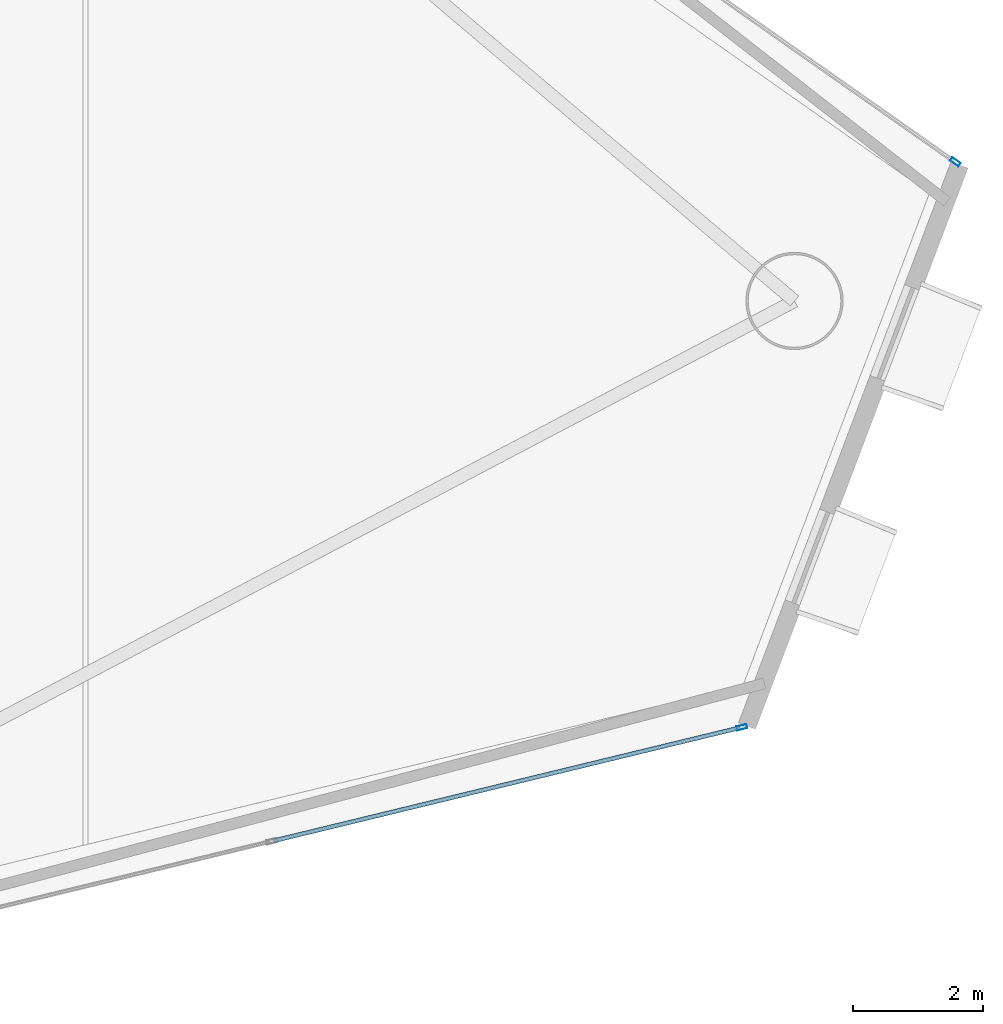
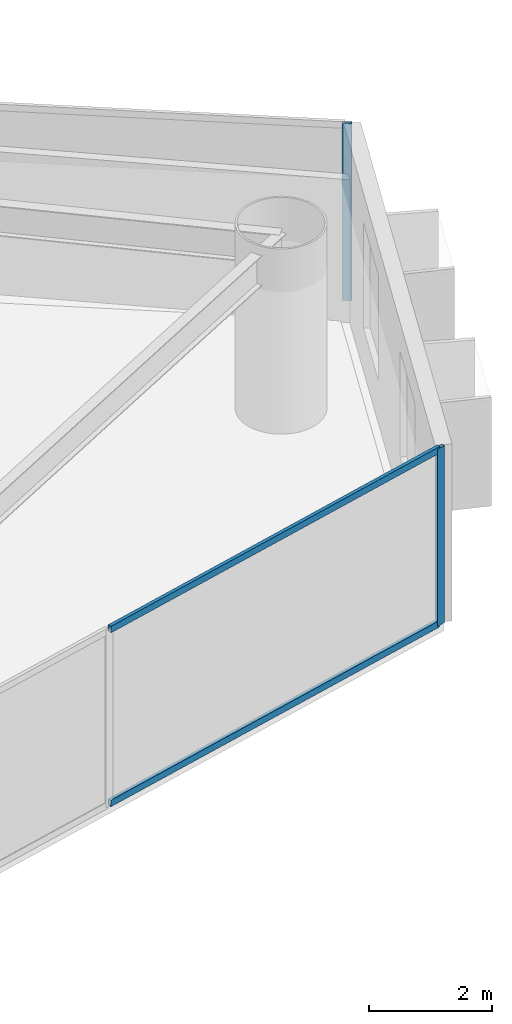
# One storey, part 15 of 24: 4 members, 2 elements without a shape of their own.
"""IFC4 building model written with IfcOpenShell, lengths in metres."""

from ifc_helpers import new_model, si_unit, direction, frame, origin, origin_2d, place, context, subcontext, project, spatial, hollow_rectangle, extrude, material, layer, layer_set, material_profile, profile_set, type_object, element, aggregate, save


model = new_model("IFC4")

# Units and contexts
model_context = context("Model", 3, precision=1e-05, world=origin(), true_north=direction((0.0, 1.0)))
body_context = subcontext(model_context, "Body", "Model", "MODEL_VIEW")
ifc_project = project(units=[si_unit("LENGTHUNIT", "METRE"), si_unit("AREAUNIT", "SQUARE_METRE"), si_unit("VOLUMEUNIT", "CUBIC_METRE"), si_unit("PLANEANGLEUNIT", "RADIAN"), si_unit("MASSUNIT", "GRAM", prefix="KILO")], contexts=[model_context])

# Site, building, storey
site_placement = place(None, origin())
site = spatial("IfcSite", under=ifc_project, at=site_placement, CompositionType="ELEMENT")
building_placement = place(site_placement, origin())
building = spatial("IfcBuilding", under=site, at=building_placement, Name="Qianvela Tower", CompositionType="ELEMENT")
storey_placement = place(building_placement, frame((0.0, 0.0, 101.5)))
storey = spatial("IfcBuildingStorey", under=building, at=storey_placement, Name="L25", CompositionType="ELEMENT", Elevation=101.5)

# Curtain wall, member
ifc_material_1 = material(Name="Anodised Architectural Aluminium and Low-E Glass", Category="aluminium")
ifc_layer = layer(ifc_material_1, 0.169921875)
ifc_layer_set = layer_set([ifc_layer], Name="Anodised Architectural Aluminium and Low-E Glass")
curtain_wall_type = type_object("IfcCurtainWallType", Name="CW-COLIV-Z34", PredefinedType="USERDEFINED", material=ifc_layer_set)
curtain_wall_1_placement = place(storey_placement, origin())
curtain_wall_1 = element("IfcCurtainWall", 1, at=curtain_wall_1_placement, inside=storey, type_object=curtain_wall_type, Name="L25 CW-COLIV-Z34 Curtain Wall 02A", ObjectType="CURTAIN_WALL_SYSTEM", PredefinedType="USERDEFINED")
ifc_material_2 = material(Name="Anodised Architectural Aluminium 6063-T6", Category="aluminium")
ifc_material_profile_1 = material_profile(ifc_material_2, hollow_rectangle(XDim=0.06494140625, YDim=0.159912109375, WallThickness=0.0048828125, at=origin_2d()), Name="ALU-MULL-65x160")
ifc_profile_set_1 = profile_set([ifc_material_profile_1], Name="Anodised Architectural Aluminium 6063-T6")
member_type_1 = type_object("IfcMemberType", Name="CW-COLIV-Z34-MULL", PredefinedType="MULLION", material=ifc_profile_set_1)
member_1_placement = place(storey_placement, frame((59.6728515625, 26.1044921875, 0.0), z_axis=(0.0, 0.0, 1.0), x_axis=(-0.574622174545, -0.818418814863, 0.0)))
member_1 = element("IfcMember", 2, at=member_1_placement, type_object=member_type_1, Name="CW-4 mullion 1", PredefinedType="MULLION", context=body_context, shape_type="SweptSolid", body=[
    extrude(hollow_rectangle(XDim=0.06494140625, YDim=0.159912109375, WallThickness=0.0048828125, at=origin_2d()), origin(), (0.0, 0.0, 1.0), 3.52001953125),
])
aggregate(curtain_wall_1, [member_1])

# Curtain wall, members
curtain_wall_2_placement = place(storey_placement, origin())
curtain_wall_2 = element("IfcCurtainWall", 3, at=curtain_wall_2_placement, inside=storey, type_object=curtain_wall_type, Name="L25 CW-COLIV-Z34 Curtain Wall 06B", ObjectType="CURTAIN_WALL_SYSTEM", PredefinedType="USERDEFINED")
member_2_placement = place(storey_placement, frame((56.381591796875, 17.381103515625, 0.0), z_axis=(0.0, 0.0, 1.0), x_axis=(-0.235703504468, 0.971825014075, 0.0)))
member_2 = element("IfcMember", 4, at=member_2_placement, type_object=member_type_1, Name="CW-4 mullion 3", PredefinedType="MULLION", context=body_context, shape_type="SweptSolid", body=[
    extrude(hollow_rectangle(XDim=0.06494140625, YDim=0.159912109375, WallThickness=0.0048828125, at=origin_2d()), origin(), (0.0, 0.0, 1.0), 3.52001953125),
])
ifc_material_3 = material(Name="Anodised Architectural Aluminium 6063-T6", Category="aluminium")
ifc_material_profile_2 = material_profile(ifc_material_3, hollow_rectangle(XDim=0.06494140625, YDim=0.1298828125, WallThickness=0.00439453125, at=origin_2d()), Name="ALU-TRAN-65x130")
ifc_profile_set_2 = profile_set([ifc_material_profile_2], Name="Anodised Architectural Aluminium 6063-T6")
member_type_2 = type_object("IfcMemberType", Name="CW-COLIV-Z34-TRAN", PredefinedType="USERDEFINED", material=ifc_profile_set_2)
member_3_placement = place(storey_placement, frame((49.16064453125, 15.629638671875, 0.032470703125), z_axis=(0.971819185537, 0.235727534715, 0.0), x_axis=(-0.235727534715, 0.971819185537, 0.0)))
member_3 = element("IfcMember", 5, at=member_3_placement, type_object=member_type_2, Name="CW-4 transom 2.1", ObjectType="TRANSOM", PredefinedType="USERDEFINED", context=body_context, shape_type="SweptSolid", body=[
    extrude(hollow_rectangle(XDim=0.06494140625, YDim=0.1298828125, WallThickness=0.00439453125, at=origin_2d()), origin(), (0.0, 0.0, 1.0), 7.39794921875),
])
member_4_placement = place(storey_placement, frame((49.16064453125, 15.629638671875, 3.487548828125), z_axis=(0.971819185537, 0.235727534715, 0.0), x_axis=(-0.235727534715, 0.971819185537, 0.0)))
member_4 = element("IfcMember", 6, at=member_4_placement, type_object=member_type_2, Name="CW-4 transom 2.2", ObjectType="TRANSOM", PredefinedType="USERDEFINED", context=body_context, shape_type="SweptSolid", body=[
    extrude(hollow_rectangle(XDim=0.06494140625, YDim=0.1298828125, WallThickness=0.00439453125, at=origin_2d()), origin(), (0.0, 0.0, 1.0), 7.39794921875),
])
aggregate(curtain_wall_2, [member_2, member_3, member_4])

save(model, "model.ifc")
